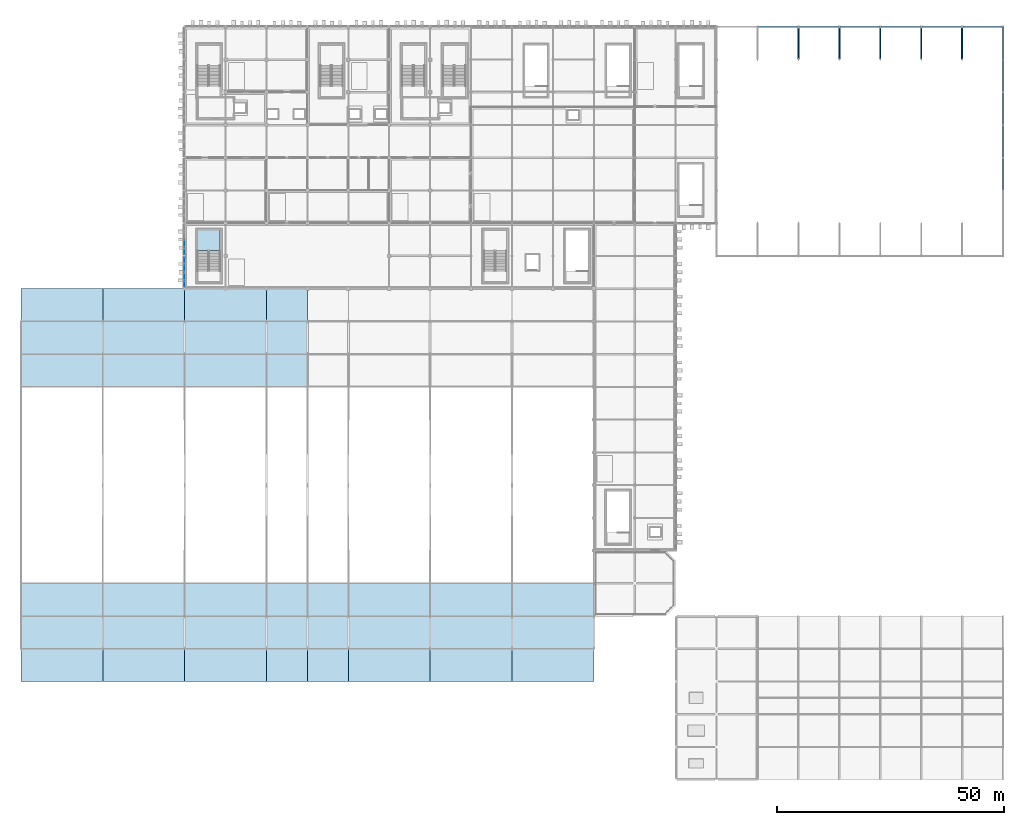
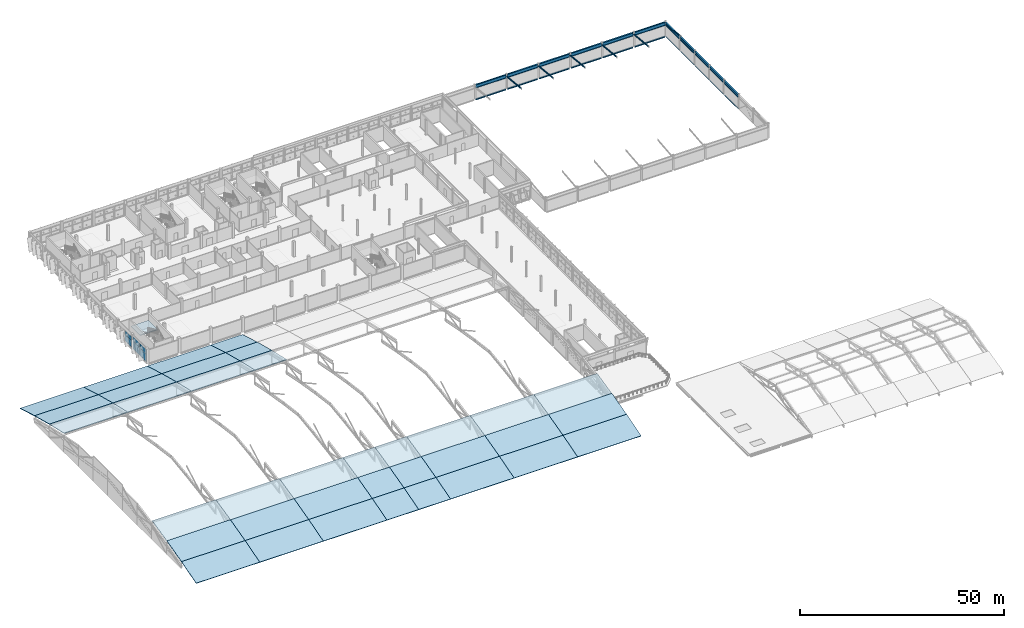
# One storey, part 75 of 124: 37 slabs, 22 beams, 6 members, 6 plates, 3 elements without a shape of their own.
"""IFC4 building model written with IfcOpenShell, lengths in metres."""

from ifc_helpers import new_model, si_unit, direction, frame, origin, origin_2d, place, context, subcontext, project, spatial, polyline, rectangle, hollow_rectangle, hollow_circle, i_section, outline, extrude, material, layer, layer_set, material_profile, profile_set, type_object, element, aggregate, save


model = new_model("IFC4")

# Units and contexts
model_context = context("Model", 3, precision=1e-05, world=origin(), true_north=direction((0.0, 1.0)))
body_context = subcontext(model_context, "Body", "Model", "MODEL_VIEW")
ifc_project = project(units=[si_unit("LENGTHUNIT", "METRE"), si_unit("AREAUNIT", "SQUARE_METRE"), si_unit("VOLUMEUNIT", "CUBIC_METRE"), si_unit("PLANEANGLEUNIT", "RADIAN"), si_unit("MASSUNIT", "GRAM", prefix="KILO")], contexts=[model_context])

# Site, building, storey
site_placement = place(None, origin())
site = spatial("IfcSite", under=ifc_project, at=site_placement, CompositionType="ELEMENT")
building_placement = place(site_placement, origin())
building = spatial("IfcBuilding", under=site, at=building_placement, Name="Celestram Park Convention Centre", CompositionType="ELEMENT")
storey_placement = place(building_placement, frame((0.0, 0.0, 15.300048828125)))
storey = spatial("IfcBuildingStorey", under=building, at=storey_placement, Name="L03", CompositionType="ELEMENT", Elevation=15.300048828125)

# Beams
ifc_material_1 = material(Name="Steel ASTM A992 Grade 50", Category="steel")
ifc_material_profile_1 = material_profile(ifc_material_1, i_section(OverallWidth=0.424072265625, OverallDepth=0.931884765625, WebThickness=0.02392578125, FlangeThickness=0.042724609375, at=origin_2d()), Name="W36X302")
ifc_profile_set_1 = profile_set([ifc_material_profile_1], Name="Steel ASTM A992 Grade 50")
beam_type_1 = type_object("IfcBeamType", Name="STR-BM-W36X302", PredefinedType="BEAM", material=ifc_profile_set_1)
for number, where, z_axis, x_axis, name in (
    (1, (216.0, 129.798095703125, 3.783935546875), (0.0, 1.0, 0.0), (-1.0, 0.0, 0.0), "Plenary gable tie girder BG-L03-0282"),
    (2, (216.0, 136.998046875, 3.783935546875), (0.0, 1.0, 0.0), (-1.0, 0.0, 0.0), "Plenary gable tie girder BG-L03-0283"),
    (3, (216.0, 144.197998046875, 3.783935546875), (0.0, 1.0, 0.0), (-1.0, 0.0, 0.0), "Plenary gable tie girder BG-L03-0284"),
    (4, (216.0, 151.39794921875, 3.783935546875), (0.0, 1.0, 0.0), (-1.0, 0.0, 0.0), "Plenary gable tie girder BG-L03-0285"),
):
    element("IfcBeam", number, at=place(storey_placement, frame(where, z_axis=z_axis, x_axis=x_axis)), inside=storey, type_object=beam_type_1, Name=name, PredefinedType="BEAM", context=body_context, shape_type="SweptSolid", body=[
        extrude(i_section(OverallWidth=0.424072265625, OverallDepth=0.931884765625, WebThickness=0.02392578125, FlangeThickness=0.042724609375, at=origin_2d()), origin(), (0.0, 0.0, 1.0), 6.803955078125),
    ])
beam_1_placement = place(storey_placement, frame((216.0, 158.597900390625, 3.783935546875), z_axis=(0.0, 1.0, 0.0), x_axis=(-1.0, 0.0, 0.0)))
element("IfcBeam", 5, at=beam_1_placement, inside=storey, type_object=beam_type_1, Name="Plenary gable tie girder BG-L03-0286", PredefinedType="BEAM", context=body_context, shape_type="SweptSolid", body=[
    extrude(i_section(OverallWidth=0.424072265625, OverallDepth=0.931884765625, WebThickness=0.02392578125, FlangeThickness=0.042724609375, at=origin_2d()), origin(), (0.0, 0.0, 1.0), 6.80419921875),
])
ifc_material_profile_2 = material_profile(ifc_material_1, i_section(OverallWidth=0.40087890625, OverallDepth=1.010986328125, WebThickness=0.023681640625, FlangeThickness=0.0419921875, at=origin_2d()), Name="W40X297")
ifc_profile_set_2 = profile_set([ifc_material_profile_2], Name="Steel ASTM A992 Grade 50")
beam_type_2 = type_object("IfcBeamType", Name="STR-BM-W40X297", PredefinedType="BEAM", material=ifc_profile_set_2)
for number, where, z_axis, x_axis, name in (
    (6, (162.197998046875, 165.60009765625, 3.744384765625), (1.0, 0.0, 0.0), (0.0, 1.0, 0.0), "Plenary eaves tie girder BG-L03-0274"),
    (7, (171.197998046875, 165.60009765625, 3.744384765625), (1.0, 0.0, 0.0), (0.0, 1.0, 0.0), "Plenary eaves tie girder BG-L03-0275"),
    (8, (180.197998046875, 165.60009765625, 3.744384765625), (1.0, 0.0, 0.0), (0.0, 1.0, 0.0), "Plenary eaves tie girder BG-L03-0276"),
    (9, (189.197998046875, 165.60009765625, 3.744384765625), (1.0, 0.0, 0.0), (0.0, 1.0, 0.0), "Plenary eaves tie girder BG-L03-0277"),
    (10, (198.197998046875, 165.60009765625, 3.744384765625), (1.0, 0.0, 0.0), (0.0, 1.0, 0.0), "Plenary eaves tie girder BG-L03-0278"),
    (11, (207.197998046875, 165.60009765625, 3.744384765625), (1.0, 0.0, 0.0), (0.0, 1.0, 0.0), "Plenary eaves tie girder BG-L03-0279"),
):
    element("IfcBeam", number, at=place(storey_placement, frame(where, z_axis=z_axis, x_axis=x_axis)), inside=storey, type_object=beam_type_2, Name=name, PredefinedType="BEAM", context=body_context, shape_type="SweptSolid", body=[
        extrude(i_section(OverallWidth=0.40087890625, OverallDepth=1.010986328125, WebThickness=0.023681640625, FlangeThickness=0.0419921875, at=origin_2d()), origin(), (0.0, 0.0, 1.0), 8.60400390625),
    ])

# Members
ifc_material_2 = material(Name="Steel ASTM A500 Grade C", Category="steel")
ifc_material_profile_3 = material_profile(ifc_material_2, hollow_circle(Radius=0.202880859375, WallThickness=0.013916015625, at=origin_2d()), Name="CHS406X14")
ifc_profile_set_3 = profile_set([ifc_material_profile_3], Name="Steel ASTM A500 Grade C")
member_type = type_object("IfcMemberType", Name="STR-CHD-CHS406", PredefinedType="CHORD", material=ifc_profile_set_3)
for number, where, z_axis, x_axis, name in (
    (12, (171.0, 158.39990234375, 4.35888671875), (0.0, 0.994691436706, -0.102902603194), (-1.0, 0.0, 0.0), "V2 arch bottom chord"),
    (13, (180.0, 158.39990234375, 4.35888671875), (0.0, 0.994691436706, -0.102902603194), (-1.0, 0.0, 0.0), "V2 arch bottom chord"),
    (14, (189.0, 158.39990234375, 4.35888671875), (0.0, 0.994691436706, -0.102902603194), (-1.0, 0.0, 0.0), "V2 arch bottom chord"),
    (15, (198.0, 158.39990234375, 4.35888671875), (0.0, 0.994691436706, -0.102902603194), (-1.0, 0.0, 0.0), "V2 arch bottom chord"),
    (16, (207.0, 158.39990234375, 4.35888671875), (0.0, 0.994691436706, -0.102902603194), (-1.0, 0.0, 0.0), "V2 arch bottom chord"),
    (17, (216.0, 158.39990234375, 4.35888671875), (0.0, 0.994691436706, -0.102902603194), (-1.0, 0.0, 0.0), "V2 arch bottom chord"),
):
    element("IfcMember", number, at=place(storey_placement, frame(where, z_axis=z_axis, x_axis=x_axis)), inside=storey, type_object=member_type, Name=name, PredefinedType="CHORD", context=body_context, shape_type="SweptSolid", body=[
        extrude(hollow_circle(Radius=0.202880859375, WallThickness=0.013916015625, at=origin_2d()), origin(), (0.0, 0.0, 1.0), 7.238525390625),
    ])

# Beams
ifc_material_profile_4 = material_profile(ifc_material_2, hollow_rectangle(XDim=0.14990234375, YDim=0.25, WallThickness=0.010009765625, at=origin_2d()), Name="HSS250X150X10")
ifc_profile_set_4 = profile_set([ifc_material_profile_4], Name="Steel ASTM A500 Grade C")
beam_type_3 = type_object("IfcBeamType", Name="STR-SPN-HSS250X150", PredefinedType="SPANDREL", material=ifc_profile_set_4)
for number, where, z_axis, x_axis, name in (
    (18, (216.0, 129.798095703125, -0.125), (0.0, 1.0, 0.0), (-1.0, 0.0, 0.0), "High-bay perimeter spandrel SPB-L03-061"),
    (19, (216.0, 136.998046875, -0.125), (0.0, 1.0, 0.0), (-1.0, 0.0, 0.0), "High-bay perimeter spandrel SPB-L03-062"),
    (20, (216.0, 144.197998046875, -0.125), (0.0, 1.0, 0.0), (-1.0, 0.0, 0.0), "High-bay perimeter spandrel SPB-L03-063"),
    (21, (216.0, 151.39794921875, -0.125), (0.0, 1.0, 0.0), (-1.0, 0.0, 0.0), "High-bay perimeter spandrel SPB-L03-064"),
):
    element("IfcBeam", number, at=place(storey_placement, frame(where, z_axis=z_axis, x_axis=x_axis)), inside=storey, type_object=beam_type_3, Name=name, PredefinedType="SPANDREL", context=body_context, shape_type="SweptSolid", body=[
        extrude(hollow_rectangle(XDim=0.14990234375, YDim=0.25, WallThickness=0.010009765625, at=origin_2d()), origin(), (0.0, 0.0, 1.0), 6.803955078125),
    ])
beam_2_placement = place(storey_placement, frame((216.0, 158.597900390625, -0.125), z_axis=(0.0, 1.0, 0.0), x_axis=(-1.0, 0.0, 0.0)))
element("IfcBeam", 22, at=beam_2_placement, inside=storey, type_object=beam_type_3, Name="High-bay perimeter spandrel SPB-L03-065", PredefinedType="SPANDREL", context=body_context, shape_type="SweptSolid", body=[
    extrude(hollow_rectangle(XDim=0.14990234375, YDim=0.25, WallThickness=0.010009765625, at=origin_2d()), origin(), (0.0, 0.0, 1.0), 6.80419921875),
])
ifc_material_profile_5 = material_profile(ifc_material_1, i_section(OverallWidth=0.367919921875, OverallDepth=0.35595703125, WebThickness=0.01123046875, FlangeThickness=0.01806640625, at=origin_2d()), Name="W14X90")
ifc_profile_set_5 = profile_set([ifc_material_profile_5], Name="Steel ASTM A992 Grade 50")
beam_type_4 = type_object("IfcBeamType", Name="STR-SPN-W14X90", PredefinedType="SPANDREL", material=ifc_profile_set_5)
for number, where, z_axis, x_axis, name in (
    (23, (162.197998046875, 165.60009765625, -0.177978515625), (1.0, 0.0, 0.0), (0.0, 1.0, 0.0), "High-bay perimeter spandrel SPB-L03-053"),
    (24, (171.197998046875, 165.60009765625, -0.177978515625), (1.0, 0.0, 0.0), (0.0, 1.0, 0.0), "High-bay perimeter spandrel SPB-L03-054"),
    (25, (180.197998046875, 165.60009765625, -0.177978515625), (1.0, 0.0, 0.0), (0.0, 1.0, 0.0), "High-bay perimeter spandrel SPB-L03-055"),
    (26, (189.197998046875, 165.60009765625, -0.177978515625), (1.0, 0.0, 0.0), (0.0, 1.0, 0.0), "High-bay perimeter spandrel SPB-L03-056"),
    (27, (198.197998046875, 165.60009765625, -0.177978515625), (1.0, 0.0, 0.0), (0.0, 1.0, 0.0), "High-bay perimeter spandrel SPB-L03-057"),
    (28, (207.197998046875, 165.60009765625, -0.177978515625), (1.0, 0.0, 0.0), (0.0, 1.0, 0.0), "High-bay perimeter spandrel SPB-L03-058"),
):
    element("IfcBeam", number, at=place(storey_placement, frame(where, z_axis=z_axis, x_axis=x_axis)), inside=storey, type_object=beam_type_4, Name=name, PredefinedType="SPANDREL", context=body_context, shape_type="SweptSolid", body=[
        extrude(i_section(OverallWidth=0.367919921875, OverallDepth=0.35595703125, WebThickness=0.01123046875, FlangeThickness=0.01806640625, at=origin_2d()), origin(), (0.0, 0.0, 1.0), 8.60400390625),
    ])

# Curtain wall, plates
ifc_material_3 = material(Name="Anodised Aluminium Alloy 6063-T6", Category="aluminium")
ifc_layer_1 = layer(ifc_material_3, 0.179931640625)
ifc_layer_set_1 = layer_set([ifc_layer_1], Name="Anodised Aluminium Alloy 6063-T6")
curtain_wall_type_1 = type_object("IfcCurtainWallType", Name="ARC-CW-655X389", PredefinedType="NOTDEFINED", material=ifc_layer_set_1)
curtain_wall_1_placement = place(storey_placement, origin())
curtain_wall_1 = element("IfcCurtainWall", 29, at=curtain_wall_1_placement, inside=storey, type_object=curtain_wall_type_1, Name="Unitised curtain wall CU-L03-195", PredefinedType="NOTDEFINED")
ifc_material_4 = material(Name="Insulated Glazing Unit 28 mm", Category="glass")
ifc_layer_2 = layer(ifc_material_4, 0.028076171875)
ifc_layer_set_2 = layer_set([ifc_layer_2], Name="Insulated Glazing Unit 28 mm")
plate_type = type_object("IfcPlateType", Name="ARC-CWP-IGU28", PredefinedType="CURTAIN_PANEL", material=ifc_layer_set_2)
plate_1_placement = place(storey_placement, frame((36.0, 110.002685546875, 0.059814453125), z_axis=(0.0, 0.0, 1.0), x_axis=(0.0, 1.0, 0.0)))
plate_1 = element("IfcPlate", 30, at=plate_1_placement, type_object=plate_type, Name="CW-65X38 panel 1.1", PredefinedType="CURTAIN_PANEL", context=body_context, shape_type="SweptSolid", body=[
    extrude(rectangle(XDim=3.179443359375, YDim=0.028076171875, at=origin_2d()), origin(), (0.0, 0.0, 1.0), 2.24609375),
])
plate_2_placement = place(storey_placement, frame((36.0, 110.002685546875, 2.36572265625), z_axis=(0.0, 0.0, 1.0), x_axis=(0.0, 1.0, 0.0)))
plate_2 = element("IfcPlate", 31, at=plate_2_placement, type_object=plate_type, Name="CW-65X38 panel 1.2", PredefinedType="CURTAIN_PANEL", context=body_context, shape_type="SweptSolid", body=[
    extrude(rectangle(XDim=3.179443359375, YDim=0.028076171875, at=origin_2d()), origin(), (0.0, 0.0, 1.0), 1.468017578125),
])
plate_3_placement = place(storey_placement, frame((36.0, 113.247314453125, 0.059814453125), z_axis=(0.0, 0.0, 1.0), x_axis=(0.0, 1.0, 0.0)))
plate_3 = element("IfcPlate", 32, at=plate_3_placement, type_object=plate_type, Name="CW-65X38 panel 2.1", PredefinedType="CURTAIN_PANEL", context=body_context, shape_type="SweptSolid", body=[
    extrude(rectangle(XDim=3.179443359375, YDim=0.028076171875, at=origin_2d()), origin(), (0.0, 0.0, 1.0), 2.24609375),
])
plate_4_placement = place(storey_placement, frame((36.0, 113.247314453125, 2.36572265625), z_axis=(0.0, 0.0, 1.0), x_axis=(0.0, 1.0, 0.0)))
plate_4 = element("IfcPlate", 33, at=plate_4_placement, type_object=plate_type, Name="CW-65X38 panel 2.2", PredefinedType="CURTAIN_PANEL", context=body_context, shape_type="SweptSolid", body=[
    extrude(rectangle(XDim=3.179443359375, YDim=0.028076171875, at=origin_2d()), origin(), (0.0, 0.0, 1.0), 1.468017578125),
])
aggregate(curtain_wall_1, [plate_1, plate_2, plate_3, plate_4])

ifc_layer_3 = layer(ifc_material_3, 0.179931640625)
ifc_layer_set_3 = layer_set([ifc_layer_3], Name="Anodised Aluminium Alloy 6063-T6")
curtain_wall_type_2 = type_object("IfcCurtainWallType", Name="ARC-CW-660X334", PredefinedType="NOTDEFINED", material=ifc_layer_set_3)
curtain_wall_2_placement = place(storey_placement, origin())
curtain_wall_2 = element("IfcCurtainWall", 34, at=curtain_wall_2_placement, inside=storey, type_object=curtain_wall_type_2, Name="Unitised curtain wall CU-L03-196", PredefinedType="NOTDEFINED")
plate_5_placement = place(storey_placement, frame((36.0, 117.165283203125, 0.059814453125), z_axis=(0.0, 0.0, 1.0), x_axis=(0.0, 1.0, 0.0)))
plate_5 = element("IfcPlate", 35, at=plate_5_placement, type_object=plate_type, Name="CW-66X33 panel 1.1", PredefinedType="CURTAIN_PANEL", context=body_context, shape_type="SweptSolid", body=[
    extrude(rectangle(XDim=3.20458984375, YDim=0.028076171875, at=origin_2d()), origin(), (0.0, 0.0, 1.0), 1.912109375),
])
plate_6_placement = place(storey_placement, frame((36.0, 117.165283203125, 2.0322265625), z_axis=(0.0, 0.0, 1.0), x_axis=(0.0, 1.0, 0.0)))
plate_6 = element("IfcPlate", 36, at=plate_6_placement, type_object=plate_type, Name="CW-66X33 panel 1.2", PredefinedType="CURTAIN_PANEL", context=body_context, shape_type="SweptSolid", body=[
    extrude(rectangle(XDim=3.20458984375, YDim=0.028076171875, at=origin_2d()), origin(), (0.0, 0.0, 1.0), 1.243896484375),
])
aggregate(curtain_wall_2, [plate_5, plate_6])

# Slabs
ifc_material_5 = material(Name="Concrete C35/45", Category="concrete")
ifc_layer_4 = layer(ifc_material_5, 0.159912109375)
ifc_layer_set_4 = layer_set([ifc_layer_4], Name="Concrete C35/45")
slab_type_1 = type_object("IfcSlabType", Name="STR-SLB-ARCH160", PredefinedType="ROOF", material=ifc_layer_set_4)
slab_1_placement = place(storey_placement, frame((0.0, 21.60009765625, -0.900146484375), z_axis=(0.0, -0.281033269599, 0.959698026141), x_axis=(1.0, 0.0, 0.0)))
element("IfcSlab", 37, at=slab_1_placement, inside=storey, type_object=slab_type_1, Name="V1 arched roof deck facet 1.1", PredefinedType="ROOF", context=body_context, shape_type="SweptSolid", body=[
    extrude(outline(polyline([(0.0, 0.0), (18.0, 0.0), (18.0, 7.502309034466431), (0.0, 7.502309034466431), (0.0, 0.0)])), origin(), (0.0, 0.0, -1.0), 0.159912109375),
])
slab_2_placement = place(storey_placement, frame((0.0, 28.800048828125, 1.208251953125), z_axis=(0.0, -0.252443267403, 0.967611697295), x_axis=(1.0, 0.0, 0.0)))
element("IfcSlab", 38, at=slab_2_placement, inside=storey, type_object=slab_type_1, Name="V1 arched roof deck facet 1.2", PredefinedType="ROOF", context=body_context, shape_type="SweptSolid", body=[
    extrude(outline(polyline([(0.0, 0.0), (18.0, 0.0), (18.0, 7.440950943441775), (0.0, 7.440950943441775), (0.0, 0.0)])), origin(), (0.0, 0.0, -1.0), 0.159912109375),
])
slab_3_placement = place(storey_placement, frame((0.0, 36.0, 3.086669921875), z_axis=(0.0, -0.223145197045, 0.9747852179), x_axis=(1.0, 0.0, 0.0)))
element("IfcSlab", 39, at=slab_3_placement, inside=storey, type_object=slab_type_1, Name="V1 arched roof deck facet 1.3", PredefinedType="ROOF", context=body_context, shape_type="SweptSolid", body=[
    extrude(outline(polyline([(0.0, 0.0), (18.0, 0.0), (18.0, 7.386192403889302), (0.0, 7.386192403889302), (0.0, 0.0)])), origin(), (0.0, 0.0, -1.0), 0.159912109375),
])
slab_4_placement = place(storey_placement, frame((0.0, 86.39990234375, 4.73486328125), z_axis=(0.0, 0.223138007485, 0.974786863686), x_axis=(1.0, 0.0, 0.0)))
element("IfcSlab", 40, at=slab_4_placement, inside=storey, type_object=slab_type_1, Name="V1 arched roof deck facet 1.10", PredefinedType="ROOF", context=body_context, shape_type="SweptSolid", body=[
    extrude(outline(polyline([(0.0, 0.0), (18.0, 0.0), (18.0, 7.386430388762546), (0.0, 7.386430388762546), (0.0, 0.0)])), origin(), (0.0, 0.0, -1.0), 0.159912109375),
])
slab_5_placement = place(storey_placement, frame((0.0, 93.60009765625, 3.086669921875), z_axis=(0.0, 0.252443267403, 0.967611697295), x_axis=(1.0, 0.0, 0.0)))
element("IfcSlab", 41, at=slab_5_placement, inside=storey, type_object=slab_type_1, Name="V1 arched roof deck facet 1.11", PredefinedType="ROOF", context=body_context, shape_type="SweptSolid", body=[
    extrude(outline(polyline([(0.0, 0.0), (18.0, 0.0), (18.0, 7.440950943441775), (0.0, 7.440950943441775), (0.0, 0.0)])), origin(), (0.0, 0.0, -1.0), 0.159912109375),
])
for number, where, z_axis, x_axis, name in (
    (42, (0.0, 100.800048828125, 1.208251953125), (0.0, 0.281033269599, 0.959698026141), (1.0, 0.0, 0.0), "V1 arched roof deck facet 1.12"),
    (43, (18.0, 21.60009765625, -0.900146484375), (0.0, -0.281033269599, 0.959698026141), (1.0, 0.0, 0.0), "V1 arched roof deck facet 2.1"),
):
    element("IfcSlab", number, at=place(storey_placement, frame(where, z_axis=z_axis, x_axis=x_axis)), inside=storey, type_object=slab_type_1, Name=name, PredefinedType="ROOF", context=body_context, shape_type="SweptSolid", body=[
        extrude(outline(polyline([(0.0, 0.0), (18.0, 0.0), (18.0, 7.502309034466431), (0.0, 7.502309034466431), (0.0, 0.0)])), origin(), (0.0, 0.0, -1.0), 0.159912109375),
    ])
slab_6_placement = place(storey_placement, frame((18.0, 28.800048828125, 1.208251953125), z_axis=(0.0, -0.252443267403, 0.967611697295), x_axis=(1.0, 0.0, 0.0)))
element("IfcSlab", 44, at=slab_6_placement, inside=storey, type_object=slab_type_1, Name="V1 arched roof deck facet 2.2", PredefinedType="ROOF", context=body_context, shape_type="SweptSolid", body=[
    extrude(outline(polyline([(0.0, 0.0), (18.0, 0.0), (18.0, 7.440950943441775), (0.0, 7.440950943441775), (0.0, 0.0)])), origin(), (0.0, 0.0, -1.0), 0.159912109375),
])
slab_7_placement = place(storey_placement, frame((18.0, 36.0, 3.086669921875), z_axis=(0.0, -0.223145197045, 0.9747852179), x_axis=(1.0, 0.0, 0.0)))
element("IfcSlab", 45, at=slab_7_placement, inside=storey, type_object=slab_type_1, Name="V1 arched roof deck facet 2.3", PredefinedType="ROOF", context=body_context, shape_type="SweptSolid", body=[
    extrude(outline(polyline([(0.0, 0.0), (18.0, 0.0), (18.0, 7.386192403889302), (0.0, 7.386192403889302), (0.0, 0.0)])), origin(), (0.0, 0.0, -1.0), 0.159912109375),
])
slab_8_placement = place(storey_placement, frame((18.0, 86.39990234375, 4.73486328125), z_axis=(0.0, 0.223138007485, 0.974786863686), x_axis=(1.0, 0.0, 0.0)))
element("IfcSlab", 46, at=slab_8_placement, inside=storey, type_object=slab_type_1, Name="V1 arched roof deck facet 2.10", PredefinedType="ROOF", context=body_context, shape_type="SweptSolid", body=[
    extrude(outline(polyline([(0.0, 0.0), (18.0, 0.0), (18.0, 7.386430388762546), (0.0, 7.386430388762546), (0.0, 0.0)])), origin(), (0.0, 0.0, -1.0), 0.159912109375),
])
slab_9_placement = place(storey_placement, frame((18.0, 93.60009765625, 3.086669921875), z_axis=(0.0, 0.252443267403, 0.967611697295), x_axis=(1.0, 0.0, 0.0)))
element("IfcSlab", 47, at=slab_9_placement, inside=storey, type_object=slab_type_1, Name="V1 arched roof deck facet 2.11", PredefinedType="ROOF", context=body_context, shape_type="SweptSolid", body=[
    extrude(outline(polyline([(0.0, 0.0), (18.0, 0.0), (18.0, 7.440950943441775), (0.0, 7.440950943441775), (0.0, 0.0)])), origin(), (0.0, 0.0, -1.0), 0.159912109375),
])
for number, where, z_axis, x_axis, name in (
    (48, (18.0, 100.800048828125, 1.208251953125), (0.0, 0.281033269599, 0.959698026141), (1.0, 0.0, 0.0), "V1 arched roof deck facet 2.12"),
    (49, (36.0, 21.60009765625, -0.900146484375), (0.0, -0.281033269599, 0.959698026141), (1.0, 0.0, 0.0), "V1 arched roof deck facet 3.1"),
):
    element("IfcSlab", number, at=place(storey_placement, frame(where, z_axis=z_axis, x_axis=x_axis)), inside=storey, type_object=slab_type_1, Name=name, PredefinedType="ROOF", context=body_context, shape_type="SweptSolid", body=[
        extrude(outline(polyline([(0.0, 0.0), (18.0, 0.0), (18.0, 7.502309034466431), (0.0, 7.502309034466431), (0.0, 0.0)])), origin(), (0.0, 0.0, -1.0), 0.159912109375),
    ])
slab_10_placement = place(storey_placement, frame((36.0, 28.800048828125, 1.208251953125), z_axis=(0.0, -0.252443267403, 0.967611697295), x_axis=(1.0, 0.0, 0.0)))
element("IfcSlab", 50, at=slab_10_placement, inside=storey, type_object=slab_type_1, Name="V1 arched roof deck facet 3.2", PredefinedType="ROOF", context=body_context, shape_type="SweptSolid", body=[
    extrude(outline(polyline([(0.0, 0.0), (18.0, 0.0), (18.0, 7.440950943441775), (0.0, 7.440950943441775), (0.0, 0.0)])), origin(), (0.0, 0.0, -1.0), 0.159912109375),
])
slab_11_placement = place(storey_placement, frame((36.0, 36.0, 3.086669921875), z_axis=(0.0, -0.223145197045, 0.9747852179), x_axis=(1.0, 0.0, 0.0)))
element("IfcSlab", 51, at=slab_11_placement, inside=storey, type_object=slab_type_1, Name="V1 arched roof deck facet 3.3", PredefinedType="ROOF", context=body_context, shape_type="SweptSolid", body=[
    extrude(outline(polyline([(0.0, 0.0), (18.0, 0.0), (18.0, 7.386192403889302), (0.0, 7.386192403889302), (0.0, 0.0)])), origin(), (0.0, 0.0, -1.0), 0.159912109375),
])
slab_12_placement = place(storey_placement, frame((36.0, 86.39990234375, 4.73486328125), z_axis=(0.0, 0.223138007485, 0.974786863686), x_axis=(1.0, 0.0, 0.0)))
element("IfcSlab", 52, at=slab_12_placement, inside=storey, type_object=slab_type_1, Name="V1 arched roof deck facet 3.10", PredefinedType="ROOF", context=body_context, shape_type="SweptSolid", body=[
    extrude(outline(polyline([(0.0, 0.0), (18.0, 0.0), (18.0, 7.386430388762546), (0.0, 7.386430388762546), (0.0, 0.0)])), origin(), (0.0, 0.0, -1.0), 0.159912109375),
])
slab_13_placement = place(storey_placement, frame((36.0, 93.60009765625, 3.086669921875), z_axis=(0.0, 0.252443267403, 0.967611697295), x_axis=(1.0, 0.0, 0.0)))
element("IfcSlab", 53, at=slab_13_placement, inside=storey, type_object=slab_type_1, Name="V1 arched roof deck facet 3.11", PredefinedType="ROOF", context=body_context, shape_type="SweptSolid", body=[
    extrude(outline(polyline([(0.0, 0.0), (18.0, 0.0), (18.0, 7.440950943441775), (0.0, 7.440950943441775), (0.0, 0.0)])), origin(), (0.0, 0.0, -1.0), 0.159912109375),
])
slab_14_placement = place(storey_placement, frame((36.0, 100.800048828125, 1.208251953125), z_axis=(0.0, 0.281033269599, 0.959698026141), x_axis=(1.0, 0.0, 0.0)))
element("IfcSlab", 54, at=slab_14_placement, inside=storey, type_object=slab_type_1, Name="V1 arched roof deck facet 3.12", PredefinedType="ROOF", context=body_context, shape_type="SweptSolid", body=[
    extrude(outline(polyline([(0.0, 0.0), (18.0, 0.0), (18.0, 7.502309034466431), (0.0, 7.502309034466431), (0.0, 0.0)])), origin(), (0.0, 0.0, -1.0), 0.159912109375),
])
slab_15_placement = place(storey_placement, frame((54.0, 21.60009765625, -0.900146484375), z_axis=(0.0, -0.281033269599, 0.959698026141), x_axis=(1.0, 0.0, 0.0)))
element("IfcSlab", 55, at=slab_15_placement, inside=storey, type_object=slab_type_1, Name="V1 arched roof deck facet 4.1", PredefinedType="ROOF", context=body_context, shape_type="SweptSolid", body=[
    extrude(outline(polyline([(0.0, 0.0), (9.0, 0.0), (9.0, 7.502309034466431), (0.0, 7.502309034466431), (0.0, 0.0)])), origin(), (0.0, 0.0, -1.0), 0.159912109375),
])
slab_16_placement = place(storey_placement, frame((54.0, 28.800048828125, 1.208251953125), z_axis=(0.0, -0.252443267403, 0.967611697295), x_axis=(1.0, 0.0, 0.0)))
element("IfcSlab", 56, at=slab_16_placement, inside=storey, type_object=slab_type_1, Name="V1 arched roof deck facet 4.2", PredefinedType="ROOF", context=body_context, shape_type="SweptSolid", body=[
    extrude(outline(polyline([(0.0, 0.0), (9.0, 0.0), (9.0, 7.440950943441775), (0.0, 7.440950943441775), (0.0, 0.0)])), origin(), (0.0, 0.0, -1.0), 0.159912109375),
])
slab_17_placement = place(storey_placement, frame((54.0, 36.0, 3.086669921875), z_axis=(0.0, -0.223145197045, 0.9747852179), x_axis=(1.0, 0.0, 0.0)))
element("IfcSlab", 57, at=slab_17_placement, inside=storey, type_object=slab_type_1, Name="V1 arched roof deck facet 4.3", PredefinedType="ROOF", context=body_context, shape_type="SweptSolid", body=[
    extrude(outline(polyline([(0.0, 0.0), (9.0, 0.0), (9.0, 7.386192403889302), (0.0, 7.386192403889302), (0.0, 0.0)])), origin(), (0.0, 0.0, -1.0), 0.159912109375),
])
slab_18_placement = place(storey_placement, frame((54.0, 86.39990234375, 4.73486328125), z_axis=(0.0, 0.223138007485, 0.974786863686), x_axis=(1.0, 0.0, 0.0)))
element("IfcSlab", 58, at=slab_18_placement, inside=storey, type_object=slab_type_1, Name="V1 arched roof deck facet 4.10", PredefinedType="ROOF", context=body_context, shape_type="SweptSolid", body=[
    extrude(outline(polyline([(0.0, 0.0), (9.0, 0.0), (9.0, 7.386430388762546), (0.0, 7.386430388762546), (0.0, 0.0)])), origin(), (0.0, 0.0, -1.0), 0.159912109375),
])
slab_19_placement = place(storey_placement, frame((54.0, 93.60009765625, 3.086669921875), z_axis=(0.0, 0.252443267403, 0.967611697295), x_axis=(1.0, 0.0, 0.0)))
element("IfcSlab", 59, at=slab_19_placement, inside=storey, type_object=slab_type_1, Name="V1 arched roof deck facet 4.11", PredefinedType="ROOF", context=body_context, shape_type="SweptSolid", body=[
    extrude(outline(polyline([(0.0, 0.0), (9.0, 0.0), (9.0, 7.440950943441775), (0.0, 7.440950943441775), (0.0, 0.0)])), origin(), (0.0, 0.0, -1.0), 0.159912109375),
])
for number, where, z_axis, x_axis, name in (
    (60, (54.0, 100.800048828125, 1.208251953125), (0.0, 0.281033269599, 0.959698026141), (1.0, 0.0, 0.0), "V1 arched roof deck facet 4.12"),
    (61, (63.0, 21.60009765625, -0.900146484375), (0.0, -0.281033269599, 0.959698026141), (1.0, 0.0, 0.0), "V1 arched roof deck facet 5.1"),
):
    element("IfcSlab", number, at=place(storey_placement, frame(where, z_axis=z_axis, x_axis=x_axis)), inside=storey, type_object=slab_type_1, Name=name, PredefinedType="ROOF", context=body_context, shape_type="SweptSolid", body=[
        extrude(outline(polyline([(0.0, 0.0), (9.0, 0.0), (9.0, 7.502309034466431), (0.0, 7.502309034466431), (0.0, 0.0)])), origin(), (0.0, 0.0, -1.0), 0.159912109375),
    ])
slab_20_placement = place(storey_placement, frame((63.0, 28.800048828125, 1.208251953125), z_axis=(0.0, -0.252443267403, 0.967611697295), x_axis=(1.0, 0.0, 0.0)))
element("IfcSlab", 62, at=slab_20_placement, inside=storey, type_object=slab_type_1, Name="V1 arched roof deck facet 5.2", PredefinedType="ROOF", context=body_context, shape_type="SweptSolid", body=[
    extrude(outline(polyline([(0.0, 0.0), (9.0, 0.0), (9.0, 7.440950943441775), (0.0, 7.440950943441775), (0.0, 0.0)])), origin(), (0.0, 0.0, -1.0), 0.159912109375),
])
slab_21_placement = place(storey_placement, frame((63.0, 36.0, 3.086669921875), z_axis=(0.0, -0.223145197045, 0.9747852179), x_axis=(1.0, 0.0, 0.0)))
element("IfcSlab", 63, at=slab_21_placement, inside=storey, type_object=slab_type_1, Name="V1 arched roof deck facet 5.3", PredefinedType="ROOF", context=body_context, shape_type="SweptSolid", body=[
    extrude(outline(polyline([(0.0, 0.0), (9.0, 0.0), (9.0, 7.386192403889302), (0.0, 7.386192403889302), (0.0, 0.0)])), origin(), (0.0, 0.0, -1.0), 0.159912109375),
])
slab_22_placement = place(storey_placement, frame((72.0, 21.60009765625, -0.900146484375), z_axis=(0.0, -0.281033269599, 0.959698026141), x_axis=(1.0, 0.0, 0.0)))
element("IfcSlab", 64, at=slab_22_placement, inside=storey, type_object=slab_type_1, Name="V1 arched roof deck facet 6.1", PredefinedType="ROOF", context=body_context, shape_type="SweptSolid", body=[
    extrude(outline(polyline([(0.0, 0.0), (18.0, 0.0), (18.0, 7.502309034466431), (0.0, 7.502309034466431), (0.0, 0.0)])), origin(), (0.0, 0.0, -1.0), 0.159912109375),
])
slab_23_placement = place(storey_placement, frame((72.0, 28.800048828125, 1.208251953125), z_axis=(0.0, -0.252443267403, 0.967611697295), x_axis=(1.0, 0.0, 0.0)))
element("IfcSlab", 65, at=slab_23_placement, inside=storey, type_object=slab_type_1, Name="V1 arched roof deck facet 6.2", PredefinedType="ROOF", context=body_context, shape_type="SweptSolid", body=[
    extrude(outline(polyline([(0.0, 0.0), (18.0, 0.0), (18.0, 7.440950943441775), (0.0, 7.440950943441775), (0.0, 0.0)])), origin(), (0.0, 0.0, -1.0), 0.159912109375),
])
slab_24_placement = place(storey_placement, frame((72.0, 36.0, 3.086669921875), z_axis=(0.0, -0.223145197045, 0.9747852179), x_axis=(1.0, 0.0, 0.0)))
element("IfcSlab", 66, at=slab_24_placement, inside=storey, type_object=slab_type_1, Name="V1 arched roof deck facet 6.3", PredefinedType="ROOF", context=body_context, shape_type="SweptSolid", body=[
    extrude(outline(polyline([(0.0, 0.0), (18.0, 0.0), (18.0, 7.386192403889302), (0.0, 7.386192403889302), (0.0, 0.0)])), origin(), (0.0, 0.0, -1.0), 0.159912109375),
])
slab_25_placement = place(storey_placement, frame((90.0, 21.60009765625, -0.900146484375), z_axis=(0.0, -0.281033269599, 0.959698026141), x_axis=(1.0, 0.0, 0.0)))
element("IfcSlab", 67, at=slab_25_placement, inside=storey, type_object=slab_type_1, Name="V1 arched roof deck facet 7.1", PredefinedType="ROOF", context=body_context, shape_type="SweptSolid", body=[
    extrude(outline(polyline([(0.0, 0.0), (18.0, 0.0), (18.0, 7.502309034466431), (0.0, 7.502309034466431), (0.0, 0.0)])), origin(), (0.0, 0.0, -1.0), 0.159912109375),
])
slab_26_placement = place(storey_placement, frame((90.0, 28.800048828125, 1.208251953125), z_axis=(0.0, -0.252443267403, 0.967611697295), x_axis=(1.0, 0.0, 0.0)))
element("IfcSlab", 68, at=slab_26_placement, inside=storey, type_object=slab_type_1, Name="V1 arched roof deck facet 7.2", PredefinedType="ROOF", context=body_context, shape_type="SweptSolid", body=[
    extrude(outline(polyline([(0.0, 0.0), (18.0, 0.0), (18.0, 7.440950943441775), (0.0, 7.440950943441775), (0.0, 0.0)])), origin(), (0.0, 0.0, -1.0), 0.159912109375),
])
slab_27_placement = place(storey_placement, frame((90.0, 36.0, 3.086669921875), z_axis=(0.0, -0.223145197045, 0.9747852179), x_axis=(1.0, 0.0, 0.0)))
element("IfcSlab", 69, at=slab_27_placement, inside=storey, type_object=slab_type_1, Name="V1 arched roof deck facet 7.3", PredefinedType="ROOF", context=body_context, shape_type="SweptSolid", body=[
    extrude(outline(polyline([(0.0, 0.0), (18.0, 0.0), (18.0, 7.386192403889302), (0.0, 7.386192403889302), (0.0, 0.0)])), origin(), (0.0, 0.0, -1.0), 0.159912109375),
])
slab_28_placement = place(storey_placement, frame((108.0, 21.60009765625, -0.900146484375), z_axis=(0.0, -0.281033269599, 0.959698026141), x_axis=(1.0, 0.0, 0.0)))
element("IfcSlab", 70, at=slab_28_placement, inside=storey, type_object=slab_type_1, Name="V1 arched roof deck facet 8.1", PredefinedType="ROOF", context=body_context, shape_type="SweptSolid", body=[
    extrude(outline(polyline([(0.0, 0.0), (18.0, 0.0), (18.0, 7.502309034466431), (0.0, 7.502309034466431), (0.0, 0.0)])), origin(), (0.0, 0.0, -1.0), 0.159912109375),
])
slab_29_placement = place(storey_placement, frame((108.0, 28.800048828125, 1.208251953125), z_axis=(0.0, -0.252443267403, 0.967611697295), x_axis=(1.0, 0.0, 0.0)))
element("IfcSlab", 71, at=slab_29_placement, inside=storey, type_object=slab_type_1, Name="V1 arched roof deck facet 8.2", PredefinedType="ROOF", context=body_context, shape_type="SweptSolid", body=[
    extrude(outline(polyline([(0.0, 0.0), (18.0, 0.0), (18.0, 7.440950943441775), (0.0, 7.440950943441775), (0.0, 0.0)])), origin(), (0.0, 0.0, -1.0), 0.159912109375),
])
slab_30_placement = place(storey_placement, frame((108.0, 36.0, 3.086669921875), z_axis=(0.0, -0.223145197045, 0.9747852179), x_axis=(1.0, 0.0, 0.0)))
element("IfcSlab", 72, at=slab_30_placement, inside=storey, type_object=slab_type_1, Name="V1 arched roof deck facet 8.3", PredefinedType="ROOF", context=body_context, shape_type="SweptSolid", body=[
    extrude(outline(polyline([(0.0, 0.0), (18.0, 0.0), (18.0, 7.386192403889302), (0.0, 7.386192403889302), (0.0, 0.0)])), origin(), (0.0, 0.0, -1.0), 0.159912109375),
])

# Stair, slab
ifc_material_6 = material(Name="Precast Concrete C40/50", Category="concrete")
stair_type = type_object("IfcStairType", Name="ARC-STR-DOG45", PredefinedType="HALF_TURN_STAIR", material=ifc_material_6)
stair_placement = place(storey_placement, origin())
stair = element("IfcStair", 73, at=stair_placement, inside=storey, type_object=stair_type, Name="L03 Core S13 stair ST-13", PredefinedType="HALF_TURN_STAIR")
ifc_layer_5 = layer(ifc_material_5, 0.199951171875)
ifc_layer_set_5 = layer_set([ifc_layer_5], Name="Concrete C35/45")
slab_type_2 = type_object("IfcSlabType", Name="STR-SLB-LND200", PredefinedType="LANDING", material=ifc_layer_set_5)
slab_31_placement = place(storey_placement, frame((0.0, 0.0, 2.050048828125)))
slab_31 = element("IfcSlab", 74, at=slab_31_placement, type_object=slab_type_2, Name="ST-13 landing 1", PredefinedType="LANDING", context=body_context, shape_type="SweptSolid", body=[
    extrude(outline(polyline([(43.800048828125, 116.3740234375), (43.800048828125, 120.89990234375), (38.840087890625, 120.89990234375), (38.840087890625, 116.3740234375), (43.800048828125, 116.3740234375)])), origin(), (0.0, 0.0, 1.0), 0.199951171875),
])
aggregate(stair, [slab_31])

save(model, "model.ifc")
